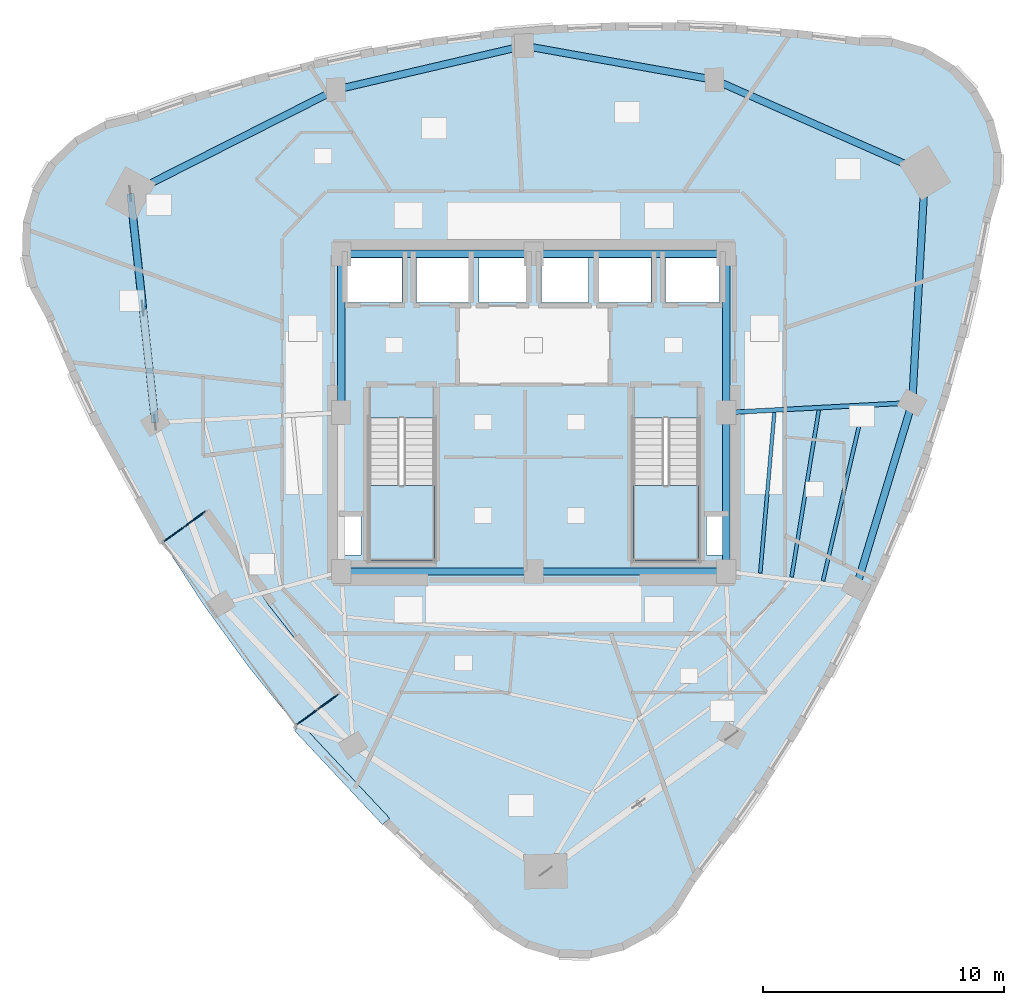
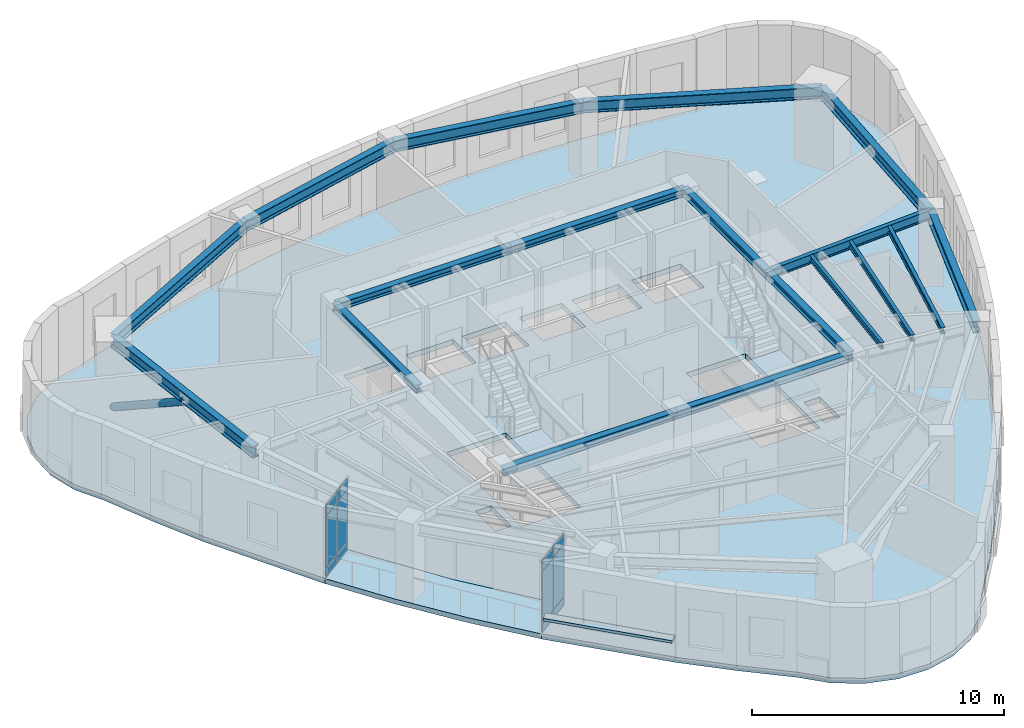
# One storey, part 5 of 13: 18 beams, 13 plates, 4 slabs, 1 member, 4 elements without a shape of their own.
"""IFC4 building model written with IfcOpenShell, lengths in metres."""

from ifc_helpers import new_model, si_unit, direction, frame, origin, origin_2d, place, context, subcontext, project, spatial, polyline, rectangle, hollow_circle, i_section, outline, extrude, material, layer, layer_set, material_profile, profile_set, type_object, element, aggregate, save


model = new_model("IFC4")

# Units and contexts
model_context = context("Model", 3, precision=1e-05, world=origin(), true_north=direction((0.0, 1.0)))
body_context = subcontext(model_context, "Body", "Model", "MODEL_VIEW")
ifc_project = project(units=[si_unit("LENGTHUNIT", "METRE"), si_unit("AREAUNIT", "SQUARE_METRE"), si_unit("VOLUMEUNIT", "CUBIC_METRE"), si_unit("PLANEANGLEUNIT", "RADIAN"), si_unit("MASSUNIT", "GRAM", prefix="KILO")], contexts=[model_context])

# Site, building, storey
site_placement = place(None, origin())
site = spatial("IfcSite", under=ifc_project, at=site_placement, CompositionType="ELEMENT")
building_placement = place(site_placement, origin())
building = spatial("IfcBuilding", under=site, at=building_placement, Name="Ndelora Gate Hotel", CompositionType="ELEMENT")
storey_placement = place(building_placement, frame((0.0, 0.0, 228.35009765625)))
storey = spatial("IfcBuildingStorey", under=building, at=storey_placement, Name="L57", CompositionType="ELEMENT", Elevation=228.35009765625)

# Beams
ifc_material_1 = material(Name="Steel S355", Category="steel")
ifc_material_profile_1 = material_profile(ifc_material_1, i_section(OverallWidth=0.300048828125, OverallDepth=0.35009765625, WebThickness=0.010009765625, FlangeThickness=0.017578125, FilletRadius=0.027099609375, at=origin_2d()), Name="HEA 360")
ifc_profile_set_1 = profile_set([ifc_material_profile_1], Name="Steel S355")
beam_type_1 = type_object("IfcBeamType", Name="BM-CORE-350", PredefinedType="BEAM", material=ifc_profile_set_1)
for number, where, z_axis, x_axis, name in (
    (1, (-8.0, 6.60009765625, 3.375), (1.0, 0.0, 0.0), (0.0, 1.0, 0.0), "L57 Core Tie Girder CC7-CC6"),
    (2, (0.0, 6.60009765625, 3.375), (1.0, 0.0, 0.0), (0.0, 1.0, 0.0), "L57 Core Tie Girder CC6-CC5"),
):
    element("IfcBeam", number, at=place(storey_placement, frame(where, z_axis=z_axis, x_axis=x_axis)), inside=storey, type_object=beam_type_1, Name=name, PredefinedType="BEAM", context=body_context, shape_type="SweptSolid", body=[
        extrude(i_section(OverallWidth=0.300048828125, OverallDepth=0.35009765625, WebThickness=0.010009765625, FlangeThickness=0.017578125, FilletRadius=0.027099609375, at=origin_2d()), origin(), (0.0, 0.0, 1.0), 8.0),
    ])
for number, where, z_axis, x_axis, name in (
    (3, (-8.0, 0.0, 3.375), (0.0, 1.0, 0.0), (-1.0, 0.0, 0.0), "L57 Core Tie Girder CC8-CC7"),
    (4, (8.0, -6.60009765625, 3.375), (0.0, 1.0, 0.0), (-1.0, 0.0, 0.0), "L57 Core Tie Girder CC3-CC4"),
    (5, (8.0, 0.0, 3.375), (0.0, 1.0, 0.0), (-1.0, 0.0, 0.0), "L57 Core Tie Girder CC4-CC5"),
):
    element("IfcBeam", number, at=place(storey_placement, frame(where, z_axis=z_axis, x_axis=x_axis)), inside=storey, type_object=beam_type_1, Name=name, PredefinedType="BEAM", context=body_context, shape_type="SweptSolid", body=[
        extrude(i_section(OverallWidth=0.300048828125, OverallDepth=0.35009765625, WebThickness=0.010009765625, FlangeThickness=0.017578125, FilletRadius=0.027099609375, at=origin_2d()), origin(), (0.0, 0.0, 1.0), 6.60009765625),
    ])
for number, where, z_axis, x_axis, name in (
    (6, (-8.0, -6.60009765625, 3.375), (1.0, 0.0, 0.0), (0.0, 1.0, 0.0), "L57 Core Tie Girder CC1-CC2"),
    (7, (0.0, -6.60009765625, 3.375), (1.0, 0.0, 0.0), (0.0, 1.0, 0.0), "L57 Core Tie Girder CC2-CC3"),
):
    element("IfcBeam", number, at=place(storey_placement, frame(where, z_axis=z_axis, x_axis=x_axis)), inside=storey, type_object=beam_type_1, Name=name, PredefinedType="BEAM", context=body_context, shape_type="SweptSolid", body=[
        extrude(i_section(OverallWidth=0.300048828125, OverallDepth=0.35009765625, WebThickness=0.010009765625, FlangeThickness=0.017578125, FilletRadius=0.027099609375, at=origin_2d()), origin(), (0.0, 0.0, 1.0), 8.0),
    ])
ifc_material_profile_2 = material_profile(ifc_material_1, i_section(OverallWidth=0.14990234375, OverallDepth=0.300048828125, WebThickness=0.007080078125, FlangeThickness=0.0107421875, FilletRadius=0.014892578125, at=origin_2d()), Name="IPE 300")
ifc_profile_set_2 = profile_set([ifc_material_profile_2], Name="Steel S355")
beam_type_2 = type_object("IfcBeamType", Name="BM-JST-300", PredefinedType="JOIST", material=ifc_profile_set_2)
beam_1_placement = place(storey_placement, frame((9.413330078125, -6.671142578125, 3.39990234375), z_axis=(0.087643872384, 0.996151871771, 0.0), x_axis=(-0.996151871771, 0.087643872384, 0.0)))
element("IfcBeam", 8, at=beam_1_placement, inside=storey, type_object=beam_type_2, Name="L57 Secondary Composite Floor Joist IN-7", PredefinedType="JOIST", context=body_context, shape_type="SweptSolid", body=[
    extrude(i_section(OverallWidth=0.14990234375, OverallDepth=0.300048828125, WebThickness=0.007080078125, FlangeThickness=0.0107421875, FilletRadius=0.014892578125, at=origin_2d()), origin(), (0.0, 0.0, 1.0), 6.699462890625),
])
beam_2_placement = place(storey_placement, frame((10.717041015625, -6.834228515625, 3.39990234375), z_axis=(0.160939239626, 0.986964316046, 0.0), x_axis=(-0.986964316046, 0.160939239626, 0.0)))
element("IfcBeam", 9, at=beam_2_placement, inside=storey, type_object=beam_type_2, Name="L57 Secondary Composite Floor Joist MID-7", PredefinedType="JOIST", context=body_context, shape_type="SweptSolid", body=[
    extrude(i_section(OverallWidth=0.14990234375, OverallDepth=0.300048828125, WebThickness=0.007080078125, FlangeThickness=0.0107421875, FilletRadius=0.014892578125, at=origin_2d()), origin(), (0.0, 0.0, 1.0), 7.028076171875),
])
beam_3_placement = place(storey_placement, frame((12.02001953125, -6.997802734375, 3.39990234375), z_axis=(0.22674518397, 0.973954116756, 0.0), x_axis=(-0.973954116756, 0.22674518397, 0.0)))
element("IfcBeam", 10, at=beam_3_placement, inside=storey, type_object=beam_type_2, Name="L57 Secondary Composite Floor Joist OUT-7", PredefinedType="JOIST", context=body_context, shape_type="SweptSolid", body=[
    extrude(i_section(OverallWidth=0.14990234375, OverallDepth=0.300048828125, WebThickness=0.007080078125, FlangeThickness=0.0107421875, FilletRadius=0.014892578125, at=origin_2d()), origin(), (0.0, 0.0, 1.0), 7.392822265625),
])
ifc_material_profile_3 = material_profile(ifc_material_1, i_section(OverallWidth=0.18994140625, OverallDepth=0.449951171875, WebThickness=0.009521484375, FlangeThickness=0.0146484375, FilletRadius=0.02099609375, at=origin_2d()), Name="IPE 450")
ifc_profile_set_3 = profile_set([ifc_material_profile_3], Name="Steel S355")
beam_type_3 = type_object("IfcBeamType", Name="BM-RAD-450", PredefinedType="BEAM", material=ifc_profile_set_3)
beam_4_placement = place(storey_placement, frame((8.0, 0.0, 3.324951171875), z_axis=(0.998583554121, 0.053206065814, 0.0), x_axis=(-0.053206065814, 0.998583554121, 0.0)))
element("IfcBeam", 11, at=beam_4_placement, inside=storey, type_object=beam_type_3, Name="L57 Radial Floor Girder 8", PredefinedType="BEAM", context=body_context, shape_type="SweptSolid", body=[
    extrude(i_section(OverallWidth=0.18994140625, OverallDepth=0.449951171875, WebThickness=0.009521484375, FlangeThickness=0.0146484375, FilletRadius=0.02099609375, at=origin_2d()), origin(), (0.0, 0.0, 1.0), 7.740966796875),
])
ifc_material_profile_4 = material_profile(ifc_material_1, i_section(OverallWidth=0.300048828125, OverallDepth=0.550048828125, WebThickness=0.014892578125, FlangeThickness=0.029052734375, FilletRadius=0.027099609375, at=origin_2d()), Name="HEB 550")
ifc_profile_set_4 = profile_set([ifc_material_profile_4], Name="Steel S355")
beam_type_4 = type_object("IfcBeamType", Name="BM-RING-550", PredefinedType="SPANDREL", material=ifc_profile_set_4)
beam_5_placement = place(storey_placement, frame((-16.759521484375, 9.099609375, 3.27490234375), z_axis=(0.107613416645, -0.994192814578, 0.0), x_axis=(0.994192814578, 0.107613416645, 0.0)))
element("IfcBeam", 12, at=beam_5_placement, inside=storey, type_object=beam_type_4, Name="L57 Perimeter Spandrel Girder 1", PredefinedType="SPANDREL", context=body_context, shape_type="SweptSolid", body=[
    extrude(i_section(OverallWidth=0.300048828125, OverallDepth=0.550048828125, WebThickness=0.014892578125, FlangeThickness=0.029052734375, FilletRadius=0.027099609375, at=origin_2d()), origin(), (0.0, 0.0, 1.0), 9.567138671875),
])
beam_6_placement = place(storey_placement, frame((13.400390625, -7.275634765625, 3.27490234375), z_axis=(0.290012456561, 0.957022870698, 0.0), x_axis=(-0.957022870698, 0.290012456561, 0.0)))
element("IfcBeam", 13, at=beam_6_placement, inside=storey, type_object=beam_type_4, Name="L57 Perimeter Spandrel Girder 7", PredefinedType="SPANDREL", context=body_context, shape_type="SweptSolid", body=[
    extrude(i_section(OverallWidth=0.300048828125, OverallDepth=0.550048828125, WebThickness=0.014892578125, FlangeThickness=0.029052734375, FilletRadius=0.027099609375, at=origin_2d()), origin(), (0.0, 0.0, 1.0), 8.03271484375),
])
beam_7_placement = place(storey_placement, frame((15.72998046875, 0.411865234375, 3.27490234375), z_axis=(0.055426206248, 0.998462786318, 0.0), x_axis=(-0.998462786318, 0.055426206248, 0.0)))
element("IfcBeam", 14, at=beam_7_placement, inside=storey, type_object=beam_type_4, Name="L57 Perimeter Spandrel Girder 8", PredefinedType="SPANDREL", context=body_context, shape_type="SweptSolid", body=[
    extrude(i_section(OverallWidth=0.300048828125, OverallDepth=0.550048828125, WebThickness=0.014892578125, FlangeThickness=0.029052734375, FilletRadius=0.027099609375, at=origin_2d()), origin(), (0.0, 0.0, 1.0), 9.567138671875),
])
beam_8_placement = place(storey_placement, frame((16.26025390625, 9.96435546875, 3.27490234375), z_axis=(-0.914807449647, 0.403890245078, 0.0), x_axis=(-0.403890245078, -0.914807449647, 0.0)))
element("IfcBeam", 15, at=beam_8_placement, inside=storey, type_object=beam_type_4, Name="L57 Perimeter Spandrel Girder 9", PredefinedType="SPANDREL", context=body_context, shape_type="SweptSolid", body=[
    extrude(i_section(OverallWidth=0.300048828125, OverallDepth=0.550048828125, WebThickness=0.014892578125, FlangeThickness=0.029052734375, FilletRadius=0.027099609375, at=origin_2d()), origin(), (0.0, 0.0, 1.0), 9.56689453125),
])
for number, where, z_axis, x_axis, name in (
    (16, (7.50830078125, 13.828369140625, 3.27490234375), (-0.984373619655, 0.176092523767, 0.0), (-0.176092523767, -0.984373619655, 0.0), "L57 Perimeter Spandrel Girder 10"),
    (17, (-0.399169921875, 15.242919921875, 3.27490234375), (-0.973809142107, -0.227367004529, 0.0), (0.227367004529, -0.973809142107, 0.0), "L57 Perimeter Spandrel Girder 11"),
):
    element("IfcBeam", number, at=place(storey_placement, frame(where, z_axis=z_axis, x_axis=x_axis)), inside=storey, type_object=beam_type_4, Name=name, PredefinedType="SPANDREL", context=body_context, shape_type="SweptSolid", body=[
        extrude(i_section(OverallWidth=0.300048828125, OverallDepth=0.550048828125, WebThickness=0.014892578125, FlangeThickness=0.029052734375, FilletRadius=0.027099609375, at=origin_2d()), origin(), (0.0, 0.0, 1.0), 8.032958984375),
    ])
beam_9_placement = place(storey_placement, frame((-8.2216796875, 13.41650390625, 3.27490234375), z_axis=(-0.89241242978, -0.451220628045, 0.0), x_axis=(0.451220628045, -0.89241242978, 0.0)))
element("IfcBeam", 18, at=beam_9_placement, inside=storey, type_object=beam_type_4, Name="L57 Perimeter Spandrel Girder 12", PredefinedType="SPANDREL", context=body_context, shape_type="SweptSolid", body=[
    extrude(i_section(OverallWidth=0.300048828125, OverallDepth=0.550048828125, WebThickness=0.014892578125, FlangeThickness=0.029052734375, FilletRadius=0.027099609375, at=origin_2d()), origin(), (0.0, 0.0, 1.0), 9.567138671875),
])

# Member
ifc_material_profile_5 = material_profile(ifc_material_1, hollow_circle(Radius=0.161865234375, WallThickness=0.01611328125, at=origin_2d()), Name="CHS 323.9x16")
ifc_profile_set_5 = profile_set([ifc_material_profile_5], Name="Steel S355")
member_type = type_object("IfcMemberType", Name="MB-TUBE-324", PredefinedType="BRACE", material=ifc_profile_set_5)
member_placement = place(storey_placement, frame((-16.759521484375, 9.099609375, 0.02001953125), z_axis=(0.091362436506, -0.843835419962, 0.528767140821), x_axis=(0.994189788356, 0.107641370894, 0.0)))
element("IfcMember", 19, at=member_placement, inside=storey, type_object=member_type, Name="L57 Perimeter Braced-Tube Diagonal 1A", PredefinedType="BRACE", context=body_context, shape_type="SweptSolid", body=[
    extrude(hollow_circle(Radius=0.161865234375, WallThickness=0.01611328125, at=origin_2d()), origin(), (0.0, 0.0, 1.0), 5.6357421875),
])

# Curtain wall, plates
ifc_material_2 = material(Name="Bronze Anodised Unitised Aluminium and Low-E Glass", Category="aluminium")
ifc_layer_1 = layer(ifc_material_2, 0.199951171875)
ifc_layer_set_1 = layer_set([ifc_layer_1], Name="Bronze Anodised Unitised Aluminium and Low-E Glass")
curtain_wall_type = type_object("IfcCurtainWallType", Name="CW-SYS-3", PredefinedType="NOTDEFINED", material=ifc_layer_set_1)
curtain_wall_1_placement = place(storey_placement, origin())
curtain_wall_1 = element("IfcCurtainWall", 20, at=curtain_wall_1_placement, inside=storey, type_object=curtain_wall_type, Name="L57 Sky-Garden Loggia Side Curtain Wall CW3-1", PredefinedType="NOTDEFINED")
ifc_material_3 = material(Name="Solar-Control Low-E Insulated Glazing", Category="glass")
ifc_layer_2 = layer(ifc_material_3, 0.048095703125)
ifc_layer_set_2 = layer_set([ifc_layer_2], Name="Solar-Control Low-E Insulated Glazing")
plate_type_1 = type_object("IfcPlateType", Name="PL-CW-GLZ36", PredefinedType="CURTAIN_PANEL", material=ifc_layer_set_2)
plate_1_placement = place(storey_placement, frame((-14.085693359375, -4.42431640625, 0.05908203125), z_axis=(0.0, 0.0, 1.0), x_axis=(-0.809017078969, -0.587785135859, 0.0)))
plate_1 = element("IfcPlate", 21, at=plate_1_placement, type_object=plate_type_1, Name="CW3 panel 1.1", PredefinedType="CURTAIN_PANEL", context=body_context, shape_type="SweptSolid", body=[
    extrude(rectangle(XDim=1.014404296875, YDim=0.048095703125, at=origin_2d()), origin(), (0.0, 0.0, 1.0), 0.364501953125),
])
plate_2_placement = place(storey_placement, frame((-14.085693359375, -4.42431640625, 0.476318359375), z_axis=(0.0, 0.0, 1.0), x_axis=(-0.809017078969, -0.587785135859, 0.0)))
plate_2 = element("IfcPlate", 22, at=plate_2_placement, type_object=plate_type_1, Name="CW3 panel 1.2", PredefinedType="CURTAIN_PANEL", context=body_context, shape_type="SweptSolid", body=[
    extrude(rectangle(XDim=1.014404296875, YDim=0.048095703125, at=origin_2d()), origin(), (0.0, 0.0, 1.0), 2.4970703125),
])
plate_3_placement = place(storey_placement, frame((-14.085693359375, -4.42431640625, 3.0263671875), z_axis=(0.0, 0.0, 1.0), x_axis=(-0.809017078969, -0.587785135859, 0.0)))
plate_3 = element("IfcPlate", 23, at=plate_3_placement, type_object=plate_type_1, Name="CW3 panel 1.3", PredefinedType="CURTAIN_PANEL", context=body_context, shape_type="SweptSolid", body=[
    extrude(rectangle(XDim=1.014404296875, YDim=0.048095703125, at=origin_2d()), origin(), (0.0, 0.0, 1.0), 0.464599609375),
])
plate_4_placement = place(storey_placement, frame((-14.94921875, -5.0517578125, 0.05908203125), z_axis=(0.0, 0.0, 1.0), x_axis=(-0.809017078969, -0.587785135859, 0.0)))
plate_4 = element("IfcPlate", 24, at=plate_4_placement, type_object=plate_type_1, Name="CW3 panel 2.1", PredefinedType="CURTAIN_PANEL", context=body_context, shape_type="SweptSolid", body=[
    extrude(rectangle(XDim=1.014404296875, YDim=0.048095703125, at=origin_2d()), origin(), (0.0, 0.0, 1.0), 0.364501953125),
])
plate_5_placement = place(storey_placement, frame((-14.94921875, -5.0517578125, 0.476318359375), z_axis=(0.0, 0.0, 1.0), x_axis=(-0.809017078969, -0.587785135859, 0.0)))
plate_5 = element("IfcPlate", 25, at=plate_5_placement, type_object=plate_type_1, Name="CW3 panel 2.2", PredefinedType="CURTAIN_PANEL", context=body_context, shape_type="SweptSolid", body=[
    extrude(rectangle(XDim=1.014404296875, YDim=0.048095703125, at=origin_2d()), origin(), (0.0, 0.0, 1.0), 2.4970703125),
])
plate_6_placement = place(storey_placement, frame((-14.94921875, -5.0517578125, 3.0263671875), z_axis=(0.0, 0.0, 1.0), x_axis=(-0.809017078969, -0.587785135859, 0.0)))
plate_6 = element("IfcPlate", 26, at=plate_6_placement, type_object=plate_type_1, Name="CW3 panel 2.3", PredefinedType="CURTAIN_PANEL", context=body_context, shape_type="SweptSolid", body=[
    extrude(rectangle(XDim=1.014404296875, YDim=0.048095703125, at=origin_2d()), origin(), (0.0, 0.0, 1.0), 0.464599609375),
])
aggregate(curtain_wall_1, [plate_1, plate_2, plate_3, plate_4, plate_5, plate_6])

curtain_wall_2_placement = place(storey_placement, origin())
curtain_wall_2 = element("IfcCurtainWall", 27, at=curtain_wall_2_placement, inside=storey, type_object=curtain_wall_type, Name="L57 Sky-Garden Loggia Side Curtain Wall CW3-2", PredefinedType="NOTDEFINED")
plate_7_placement = place(storey_placement, frame((-9.424072265625, -12.656494140625, 0.05908203125), z_axis=(0.0, 0.0, 1.0), x_axis=(0.809032782583, 0.587763521074, 0.0)))
plate_7 = element("IfcPlate", 28, at=plate_7_placement, type_object=plate_type_1, Name="CW3 panel 1.1", PredefinedType="CURTAIN_PANEL", context=body_context, shape_type="SweptSolid", body=[
    extrude(rectangle(XDim=1.014404296875, YDim=0.048095703125, at=origin_2d()), origin(), (0.0, 0.0, 1.0), 0.364501953125),
])
plate_8_placement = place(storey_placement, frame((-9.424072265625, -12.656494140625, 0.476318359375), z_axis=(0.0, 0.0, 1.0), x_axis=(0.809032782583, 0.587763521074, 0.0)))
plate_8 = element("IfcPlate", 29, at=plate_8_placement, type_object=plate_type_1, Name="CW3 panel 1.2", PredefinedType="CURTAIN_PANEL", context=body_context, shape_type="SweptSolid", body=[
    extrude(rectangle(XDim=1.014404296875, YDim=0.048095703125, at=origin_2d()), origin(), (0.0, 0.0, 1.0), 2.4970703125),
])
plate_9_placement = place(storey_placement, frame((-9.424072265625, -12.656494140625, 3.0263671875), z_axis=(0.0, 0.0, 1.0), x_axis=(0.809032782583, 0.587763521074, 0.0)))
plate_9 = element("IfcPlate", 30, at=plate_9_placement, type_object=plate_type_1, Name="CW3 panel 1.3", PredefinedType="CURTAIN_PANEL", context=body_context, shape_type="SweptSolid", body=[
    extrude(rectangle(XDim=1.014404296875, YDim=0.048095703125, at=origin_2d()), origin(), (0.0, 0.0, 1.0), 0.464599609375),
])
plate_10_placement = place(storey_placement, frame((-8.560546875, -12.029052734375, 0.05908203125), z_axis=(0.0, 0.0, 1.0), x_axis=(0.809032782583, 0.587763521074, 0.0)))
plate_10 = element("IfcPlate", 31, at=plate_10_placement, type_object=plate_type_1, Name="CW3 panel 2.1", PredefinedType="CURTAIN_PANEL", context=body_context, shape_type="SweptSolid", body=[
    extrude(rectangle(XDim=1.014404296875, YDim=0.048095703125, at=origin_2d()), origin(), (0.0, 0.0, 1.0), 0.364501953125),
])
plate_11_placement = place(storey_placement, frame((-8.560546875, -12.029052734375, 0.476318359375), z_axis=(0.0, 0.0, 1.0), x_axis=(0.809032782583, 0.587763521074, 0.0)))
plate_11 = element("IfcPlate", 32, at=plate_11_placement, type_object=plate_type_1, Name="CW3 panel 2.2", PredefinedType="CURTAIN_PANEL", context=body_context, shape_type="SweptSolid", body=[
    extrude(rectangle(XDim=1.014404296875, YDim=0.048095703125, at=origin_2d()), origin(), (0.0, 0.0, 1.0), 2.4970703125),
])
plate_12_placement = place(storey_placement, frame((-8.560546875, -12.029052734375, 3.0263671875), z_axis=(0.0, 0.0, 1.0), x_axis=(0.809032782583, 0.587763521074, 0.0)))
plate_12 = element("IfcPlate", 33, at=plate_12_placement, type_object=plate_type_1, Name="CW3 panel 2.3", PredefinedType="CURTAIN_PANEL", context=body_context, shape_type="SweptSolid", body=[
    extrude(rectangle(XDim=1.014404296875, YDim=0.048095703125, at=origin_2d()), origin(), (0.0, 0.0, 1.0), 0.464599609375),
])
aggregate(curtain_wall_2, [plate_7, plate_8, plate_9, plate_10, plate_11, plate_12])

# Plate
ifc_material_4 = material(Name="Precast concrete C40/50", Category="concrete")
ifc_layer_3 = layer(ifc_material_4, 0.125)
ifc_layer_set_3 = layer_set([ifc_layer_3], Name="Precast concrete C40/50")
plate_type_2 = type_object("IfcPlateType", Name="PL-SILL-120", PredefinedType="USERDEFINED", material=ifc_layer_set_3)
plate_13_placement = place(storey_placement, frame((-7.96630859375, -15.035888671875, 0.787353515625), z_axis=(0.0, 0.0, 1.0), x_axis=(-0.683401200631, 0.73004301173, 0.0)))
element("IfcPlate", 34, at=plate_13_placement, inside=storey, type_object=plate_type_2, Name="L57 Streamline Precast Ribbon Sill 16", ObjectType="RIBBON_SILL", PredefinedType="USERDEFINED", context=body_context, shape_type="SweptSolid", body=[
    extrude(rectangle(XDim=5.35693359375, YDim=0.39990234375, at=origin_2d()), origin(), (0.0, 0.0, 1.0), 0.125),
])

# Stair, slab
stair_type = type_object("IfcStairType", Name="STR-DOG-CORE", PredefinedType="HALF_TURN_STAIR", material=ifc_material_4)
stair_1_placement = place(storey_placement, origin())
stair_1 = element("IfcStair", 35, at=stair_1_placement, inside=storey, type_object=stair_type, Name="L57 Protected Core Exit Stair ST4", PredefinedType="HALF_TURN_STAIR")
ifc_layer_4 = layer(ifc_material_4, 0.219970703125)
ifc_layer_set_4 = layer_set([ifc_layer_4], Name="Precast concrete C40/50")
slab_type_1 = type_object("IfcSlabType", Name="SL-LAND-220", PredefinedType="LANDING", material=ifc_layer_set_4)
slab_1_placement = place(storey_placement, frame((0.0, 0.0, 1.699951171875)))
slab_1 = element("IfcSlab", 36, at=slab_1_placement, type_object=slab_type_1, Name="ST4 landing 1", PredefinedType="LANDING", context=body_context, shape_type="SweptSolid", body=[
    extrude(outline(polyline([(-6.85009765625, -3.030029296875), (-6.85009765625, -6.14990234375), (-4.1298828125, -6.14990234375), (-4.1298828125, -3.030029296875), (-6.85009765625, -3.030029296875)])), origin(), (0.0, 0.0, 1.0), 0.199951171875),
])
aggregate(stair_1, [slab_1])

stair_2_placement = place(storey_placement, origin())
stair_2 = element("IfcStair", 37, at=stair_2_placement, inside=storey, type_object=stair_type, Name="L57 Protected Core Exit Stair ST5", PredefinedType="HALF_TURN_STAIR")
slab_2_placement = place(storey_placement, frame((0.0, 0.0, 1.699951171875)))
slab_2 = element("IfcSlab", 38, at=slab_2_placement, type_object=slab_type_1, Name="ST5 landing 1", PredefinedType="LANDING", context=body_context, shape_type="SweptSolid", body=[
    extrude(outline(polyline([(4.1298828125, -3.030029296875), (4.1298828125, -6.14990234375), (6.85009765625, -6.14990234375), (6.85009765625, -3.030029296875), (4.1298828125, -3.030029296875)])), origin(), (0.0, 0.0, 1.0), 0.199951171875),
])
aggregate(stair_2, [slab_2])

# Slabs
ifc_layer_5 = layer(ifc_material_4, 0.239990234375)
ifc_layer_set_5 = layer_set([ifc_layer_5], Name="Precast concrete C40/50")
slab_type_2 = type_object("IfcSlabType", Name="SL-TER-240", PredefinedType="FLOOR", material=ifc_layer_set_5)
slab_3_placement = place(storey_placement, frame((0.0, 0.0, -0.239990234375)))
element("IfcSlab", 39, at=slab_3_placement, inside=storey, type_object=slab_type_2, Name="L57 Sky Garden Loggia Terrace Slab", PredefinedType="FLOOR", context=body_context, shape_type="SweptSolid", body=[
    extrude(outline(polyline([(-13.627685546875, -4.091552734375), (-15.407470703125, -5.384521484375), (-13.716064453125, -7.989990234375), (-11.83740234375, -10.57568359375), (-9.88232421875, -12.989501953125), (-8.102294921875, -11.6962890625), (-11.01416015625, -8.002197265625), (-13.627685546875, -4.091552734375)])), origin(), (0.0, 0.0, 1.0), 0.239990234375),
])
ifc_material_5 = material(Name="Concrete C40/50", Category="concrete")
ifc_layer_6 = layer(ifc_material_5, 0.25)
ifc_layer_set_6 = layer_set([ifc_layer_6], Name="Concrete C40/50")
slab_type_3 = type_object("IfcSlabType", Name="SL-TWR-250", PredefinedType="FLOOR", material=ifc_layer_set_6)
slab_4_placement = place(storey_placement, frame((0.0, 0.0, -0.25)))
element("IfcSlab", 40, at=slab_4_placement, inside=storey, type_object=slab_type_3, Name="L57 Structural Floor Slab", PredefinedType="FLOOR", context=body_context, shape_type="SweptSolid", body=[
    extrude(outline(polyline([(-16.465087890625, 12.26025390625), (-17.784912109375, 11.943359375), (-18.97802734375, 11.295654296875), (-19.962646484375, 10.361083984375), (-20.672119140625, 9.203857421875), (-21.0576171875, 7.902099609375), (-21.093017578125, 6.545166015625), (-20.776123046875, 5.22509765625), (-20.12841796875, 4.0322265625), (-19.16162109375, 1.749755859375), (-18.115966796875, -0.4755859375), (-15.407470703125, -5.384521484375), (-13.627685546875, -4.091552734375), (-11.01416015625, -8.002197265625), (-8.102294921875, -11.6962890625), (-9.88232421875, -12.989501953125), (-6.05029296875, -17.082275390625), (-4.257080078125, -18.764404296875), (-2.385009765625, -20.389404296875), (-1.45068359375, -21.3740234375), (-0.293212890625, -22.083251953125), (1.00830078125, -22.46875), (2.365234375, -22.50439453125), (3.685302734375, -22.1875), (4.878173828125, -21.539794921875), (5.86279296875, -20.605224609375), (6.572265625, -19.44775390625), (8.125732421875, -17.385986328125), (9.582763671875, -15.281005859375), (10.943603515625, -13.13330078125), (12.207763671875, -10.9423828125), (13.37548828125, -8.708740234375), (14.447021484375, -6.43212890625), (15.421875, -4.112548828125), (16.30029296875, -1.750244140625), (17.08251953125, 0.6552734375), (17.768310546875, 3.103515625), (18.357421875, 5.5947265625), (18.85009765625, 8.129150390625), (19.23583984375, 9.4306640625), (19.271240234375, 10.78759765625), (18.954345703125, 12.107666015625), (18.306640625, 13.300537109375), (17.372314453125, 14.28515625), (16.21484375, 14.994384765625), (14.9130859375, 15.380126953125), (13.55615234375, 15.41552734375), (10.993896484375, 15.72998046875), (8.4423828125, 15.939453125), (5.90185546875, 16.0439453125), (3.37255859375, 16.04345703125), (0.854248046875, 15.93798828125), (-1.653076171875, 15.7275390625), (-4.1494140625, 15.412109375), (-6.634521484375, 14.99169921875), (-9.108642578125, 14.46630859375), (-11.572021484375, 13.8359375), (-14.02392578125, 13.1005859375), (-16.465087890625, 12.26025390625)]), holes=[polyline([(-6.85009765625, -0.22998046875), (-6.85009765625, -6.14990234375), (-4.1298828125, -6.14990234375), (-4.1298828125, -0.22998046875), (-6.85009765625, -0.22998046875)]), polyline([(4.1298828125, -0.22998046875), (4.1298828125, -6.14990234375), (6.85009765625, -6.14990234375), (6.85009765625, -0.22998046875), (4.1298828125, -0.22998046875)]), polyline([(-7.72998046875, 4.570068359375), (-5.469970703125, 4.570068359375), (-5.469970703125, 6.429931640625), (-7.72998046875, 6.429931640625), (-7.72998046875, 4.570068359375)]), polyline([(5.469970703125, 4.570068359375), (7.72998046875, 4.570068359375), (7.72998046875, 6.429931640625), (5.469970703125, 6.429931640625), (5.469970703125, 4.570068359375)]), polyline([(-4.8798828125, 4.570068359375), (-2.719970703125, 4.570068359375), (-2.719970703125, 6.429931640625), (-4.8798828125, 6.429931640625), (-4.8798828125, 4.570068359375)]), polyline([(2.719970703125, 4.570068359375), (4.8798828125, 4.570068359375), (4.8798828125, 6.429931640625), (2.719970703125, 6.429931640625), (2.719970703125, 4.570068359375)]), polyline([(-2.280029296875, 4.570068359375), (-0.320068359375, 4.570068359375), (-0.320068359375, 6.429931640625), (-2.280029296875, 6.429931640625), (-2.280029296875, 4.570068359375)]), polyline([(0.320068359375, 4.570068359375), (2.280029296875, 4.570068359375), (2.280029296875, 6.429931640625), (0.320068359375, 6.429931640625), (0.320068359375, 4.570068359375)]), polyline([(-7.89990234375, -5.919921875), (-7.179931640625, -5.919921875), (-7.179931640625, -4.320068359375), (-7.89990234375, -4.320068359375), (-7.89990234375, -5.919921875)]), polyline([(7.179931640625, -5.919921875), (7.89990234375, -5.919921875), (7.89990234375, -4.320068359375), (7.179931640625, -4.320068359375), (7.179931640625, -5.919921875)])]), origin(), (0.0, 0.0, 1.0), 0.25),
])

save(model, "model.ifc")
